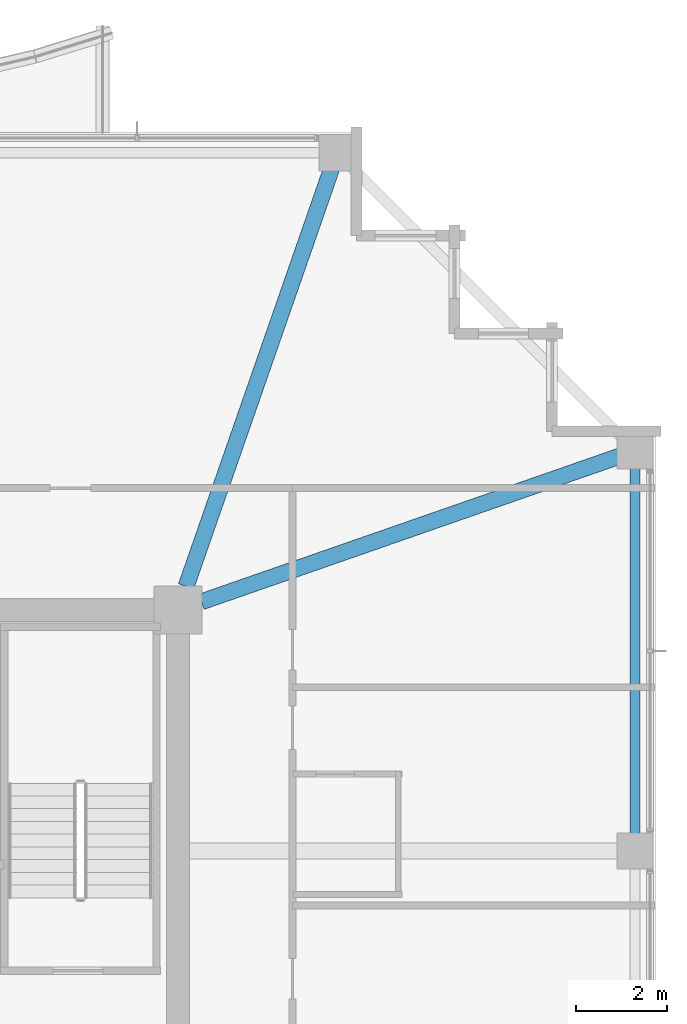
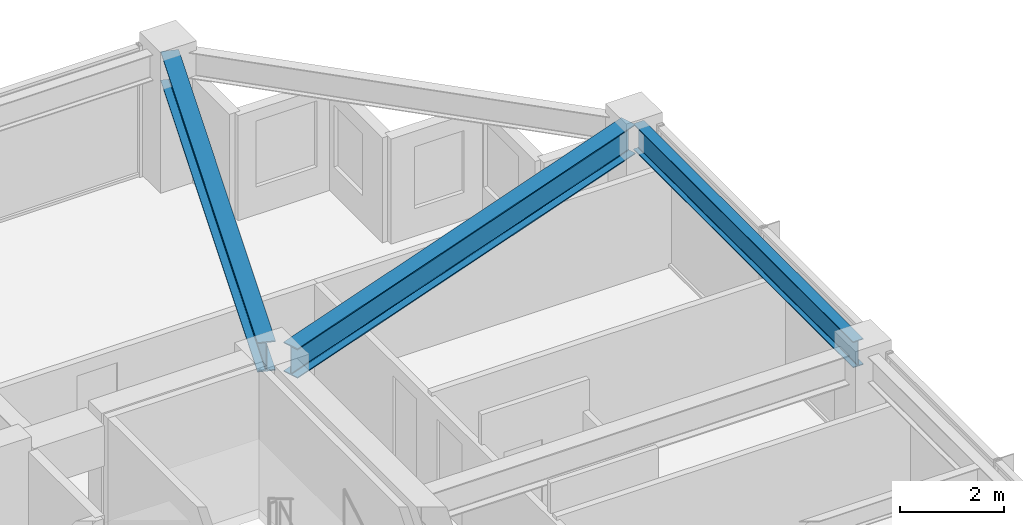
# One storey, part 20 of 36: 3 beams.
"""IFC4 building model written with IfcOpenShell, lengths in metres."""

from ifc_helpers import new_model, si_unit, direction, frame, origin, origin_2d, place, context, subcontext, project, spatial, i_section, extrude, material, material_profile, profile_set, type_object, element, save


model = new_model("IFC4")

# Units and contexts
model_context = context("Model", 3, precision=1e-05, world=origin(), true_north=direction((0.0, 1.0)))
body_context = subcontext(model_context, "Body", "Model", "MODEL_VIEW")
ifc_project = project(units=[si_unit("LENGTHUNIT", "METRE"), si_unit("AREAUNIT", "SQUARE_METRE"), si_unit("VOLUMEUNIT", "CUBIC_METRE"), si_unit("PLANEANGLEUNIT", "RADIAN"), si_unit("MASSUNIT", "GRAM", prefix="KILO")], contexts=[model_context])

# Site, building, storey
site_placement = place(None, origin())
site = spatial("IfcSite", under=ifc_project, at=site_placement, CompositionType="ELEMENT")
building_placement = place(site_placement, origin())
building = spatial("IfcBuilding", under=site, at=building_placement, Name="Kolvaren Belvedere", CompositionType="ELEMENT")
storey_placement = place(building_placement, frame((0.0, 0.0, 199.800048828125)))
storey = spatial("IfcBuildingStorey", under=building, at=storey_placement, Name="L58", CompositionType="ELEMENT", Elevation=199.800048828125)

# Beams
ifc_material_1 = material(Name="Structural steel ASTM A992 Grade 50", Category="steel")
ifc_material_profile_1 = material_profile(ifc_material_1, i_section(OverallWidth=0.35498046875, OverallDepth=0.696044921875, WebThickness=0.015380859375, FlangeThickness=0.02490234375, FilletRadius=0.02197265625, at=origin_2d()), Name="W27X146")
ifc_profile_set_1 = profile_set([ifc_material_profile_1], Name="Structural steel ASTM A992 Grade 50")
beam_type_1 = type_object("IfcBeamType", Name="BM-GIRD-W27X146", PredefinedType="BEAM", material=ifc_profile_set_1)
for number, where, z_axis, x_axis, name in (
    (1, (10.080810546875, 10.41943359375, 2.73193359375), (0.328898147971, 0.944365399758, 0.0), (-0.944365399758, 0.328898147971, 0.0), "L58 Corner Core-to-Perimeter Girder CC3-N4"),
    (2, (10.41943359375, 10.080810546875, 2.73193359375), (0.944365399758, 0.328898147971, 0.0), (-0.328898147971, 0.944365399758, 0.0), "L58 Corner Core-to-Perimeter Girder CC3-E4"),
):
    element("IfcBeam", number, at=place(storey_placement, frame(where, z_axis=z_axis, x_axis=x_axis)), inside=storey, type_object=beam_type_1, Name=name, PredefinedType="BEAM", context=body_context, shape_type="SweptSolid", body=[
        extrude(i_section(OverallWidth=0.35498046875, OverallDepth=0.696044921875, WebThickness=0.015380859375, FlangeThickness=0.02490234375, FilletRadius=0.02197265625, at=origin_2d()), origin(), (0.0, 0.0, 1.0), 9.931884765625),
    ])
ifc_material_2 = material(Name="Structural steel ASTM A992 Grade 50", Category="steel")
ifc_material_profile_2 = material_profile(ifc_material_2, i_section(OverallWidth=0.22900390625, OverallDepth=0.612060546875, WebThickness=0.011962890625, FlangeThickness=0.01953125, FilletRadius=0.01806640625, at=origin_2d()), Name="W24X84")
ifc_profile_set_2 = profile_set([ifc_material_profile_2], Name="Structural steel ASTM A992 Grade 50")
beam_type_2 = type_object("IfcBeamType", Name="BM-SPAN-W24X84", PredefinedType="SPANDREL", material=ifc_profile_set_2)
beam_placement = place(storey_placement, frame((19.949951171875, 4.780029296875, 2.77392578125), z_axis=(0.0, 1.0, 0.0), x_axis=(-1.0, 0.0, 0.0)))
element("IfcBeam", 3, at=beam_placement, inside=storey, type_object=beam_type_2, Name="L58 Perimeter Spandrel E3-E4", PredefinedType="SPANDREL", context=body_context, shape_type="SweptSolid", body=[
    extrude(i_section(OverallWidth=0.22900390625, OverallDepth=0.612060546875, WebThickness=0.011962890625, FlangeThickness=0.01953125, FilletRadius=0.01806640625, at=origin_2d()), origin(), (0.0, 0.0, 1.0), 8.43994140625),
])

save(model, "model.ifc")
